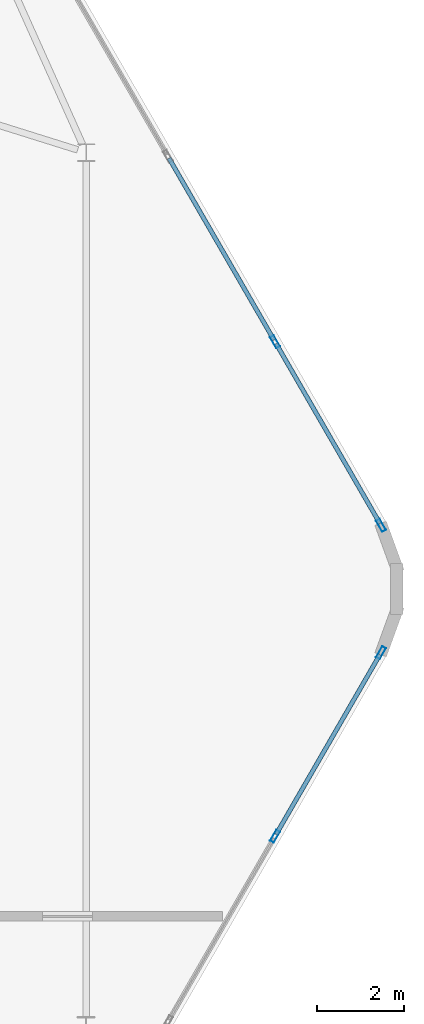
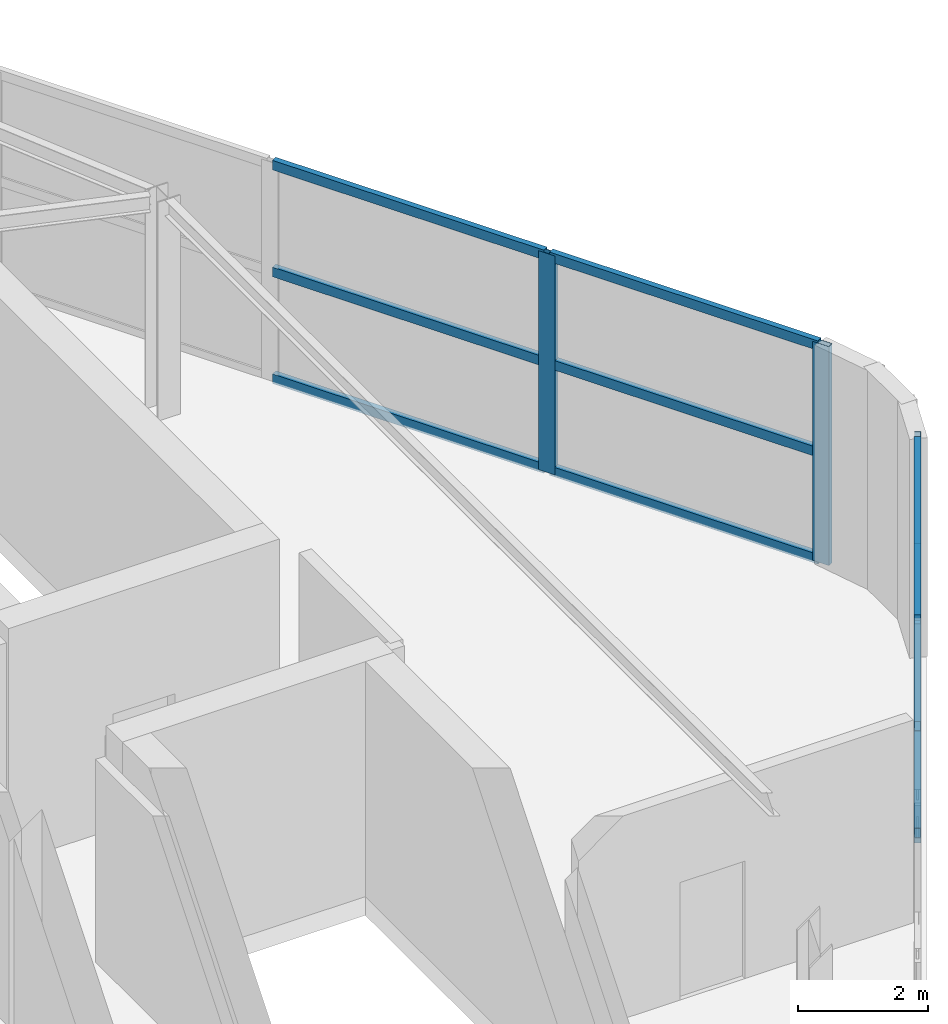
# One storey, part 4 of 8: 13 members, 2 elements without a shape of their own.
"""IFC4 building model written with IfcOpenShell, lengths in metres."""

from ifc_helpers import new_model, si_unit, direction, frame, origin, origin_2d, place, context, subcontext, project, spatial, hollow_rectangle, extrude, material, material_profile, profile_set, type_object, element, aggregate, save


model = new_model("IFC4")

# Units and contexts
model_context = context("Model", 3, precision=1e-05, world=origin(), true_north=direction((0.0, 1.0)))
body_context = subcontext(model_context, "Body", "Model", "MODEL_VIEW")
ifc_project = project(units=[si_unit("LENGTHUNIT", "METRE"), si_unit("AREAUNIT", "SQUARE_METRE"), si_unit("VOLUMEUNIT", "CUBIC_METRE"), si_unit("PLANEANGLEUNIT", "RADIAN"), si_unit("MASSUNIT", "GRAM", prefix="KILO")], contexts=[model_context])

# Site, building, storey
site_placement = place(None, origin())
site = spatial("IfcSite", under=ifc_project, at=site_placement, CompositionType="ELEMENT")
building_placement = place(site_placement, origin())
building = spatial("IfcBuilding", under=site, at=building_placement, Name="Zuhravey Tower", CompositionType="ELEMENT")
storey_placement = place(building_placement, frame((0.0, 0.0, 383.39990234375)))
storey = spatial("IfcBuildingStorey", under=building, at=storey_placement, Name="L97", CompositionType="ELEMENT", Elevation=383.39990234375)

# Curtain wall, members
ifc_material_1 = material(Name="Thermally broken anodised aluminium", Category="aluminium")
curtain_wall_type = type_object("IfcCurtainWallType", Name="Split-Top Crown Screened Curtain Wall CW6", PredefinedType="NOTDEFINED", material=ifc_material_1)
curtain_wall_1_placement = place(storey_placement, origin())
curtain_wall_1 = element("IfcCurtainWall", 1, at=curtain_wall_1_placement, inside=storey, type_object=curtain_wall_type, Name="L97 CW6 CW6-L97-EAST-04", PredefinedType="NOTDEFINED")
ifc_material_2 = material(Name="Anodised aluminium", Category="aluminium")
ifc_material_profile_1 = material_profile(ifc_material_2, hollow_rectangle(XDim=0.10009765625, YDim=0.2900390625, WallThickness=0.006103515625, at=origin_2d()), Name="ALU-RHS-100x290x6")
ifc_profile_set_1 = profile_set([ifc_material_profile_1], Name="Anodised aluminium")
member_type_1 = type_object("IfcMemberType", Name="Heavy Tall-Storey Mullion 100x220", PredefinedType="MULLION", material=ifc_profile_set_1)
member_1_placement = place(storey_placement, frame((60.528076171875, 37.6640625, 0.0), z_axis=(0.0, 0.0, 1.0), x_axis=(0.866027063754, 0.499997124838, 0.0)))
member_1 = element("IfcMember", 2, at=member_1_placement, type_object=member_type_1, Name="CW6 mullion 5", PredefinedType="MULLION", context=body_context, shape_type="SweptSolid", body=[
    extrude(hollow_rectangle(XDim=0.10009765625, YDim=0.2900390625, WallThickness=0.006103515625, at=origin_2d()), origin(), (0.0, 0.0, 1.0), 4.10009765625),
])
member_2_placement = place(storey_placement, frame((62.9560546875, 33.458984375, 0.0), z_axis=(0.0, 0.0, 1.0), x_axis=(0.866027063754, 0.499997124838, 0.0)))
member_2 = element("IfcMember", 3, at=member_2_placement, type_object=member_type_1, Name="CW6 mullion 6", PredefinedType="MULLION", context=body_context, shape_type="SweptSolid", body=[
    extrude(hollow_rectangle(XDim=0.10009765625, YDim=0.2900390625, WallThickness=0.006103515625, at=origin_2d()), origin(), (0.0, 0.0, 1.0), 4.10009765625),
])

curtain_wall_2_placement = place(storey_placement, origin())
curtain_wall_2 = element("IfcCurtainWall", 4, at=curtain_wall_2_placement, inside=storey, type_object=curtain_wall_type, Name="L97 CW6 CW6-L97-EAST-08", PredefinedType="NOTDEFINED")
member_3_placement = place(storey_placement, frame((62.9560546875, 30.541015625, 0.0), z_axis=(0.0, 0.0, 1.0), x_axis=(0.866027063754, -0.499997124838, 0.0)))
member_3 = element("IfcMember", 5, at=member_3_placement, type_object=member_type_1, Name="CW6 mullion 1", PredefinedType="MULLION", context=body_context, shape_type="SweptSolid", body=[
    extrude(hollow_rectangle(XDim=0.10009765625, YDim=0.2900390625, WallThickness=0.006103515625, at=origin_2d()), origin(), (0.0, 0.0, 1.0), 4.10009765625),
])
member_4_placement = place(storey_placement, frame((60.528076171875, 26.3359375, 0.0), z_axis=(0.0, 0.0, 1.0), x_axis=(0.866027063754, -0.499997124838, 0.0)))
member_4 = element("IfcMember", 6, at=member_4_placement, type_object=member_type_1, Name="CW6 mullion 2", PredefinedType="MULLION", context=body_context, shape_type="SweptSolid", body=[
    extrude(hollow_rectangle(XDim=0.10009765625, YDim=0.2900390625, WallThickness=0.006103515625, at=origin_2d()), origin(), (0.0, 0.0, 1.0), 4.10009765625),
])

# Member
ifc_material_profile_2 = material_profile(ifc_material_2, hollow_rectangle(XDim=0.10009765625, YDim=0.179931640625, WallThickness=0.006103515625, at=origin_2d()), Name="ALU-RHS-100x180x6")
ifc_profile_set_2 = profile_set([ifc_material_profile_2], Name="Anodised aluminium")
member_type_2 = type_object("IfcMemberType", Name="Tall-Storey Transom 100x180", PredefinedType="USERDEFINED", material=ifc_profile_set_2)
member_5_placement = place(storey_placement, frame((58.10009765625, 41.869384765625, 0.050048828125), z_axis=(0.50003466983, -0.866005386223, 0.0), x_axis=(0.866005386223, 0.50003466983, 0.0)))
member_5 = element("IfcMember", 7, at=member_5_placement, type_object=member_type_2, Name="CW6 transom 4.1", ObjectType="TRANSOM", PredefinedType="USERDEFINED", context=body_context, shape_type="SweptSolid", body=[
    extrude(hollow_rectangle(XDim=0.10009765625, YDim=0.179931640625, WallThickness=0.006103515625, at=origin_2d()), origin(), (0.0, 0.0, 1.0), 4.805908203125),
])

member_6_placement = place(storey_placement, frame((58.10009765625, 41.869384765625, 2.050048828125), z_axis=(0.50003466983, -0.866005386223, 0.0), x_axis=(0.866005386223, 0.50003466983, 0.0)))
member_6 = element("IfcMember", 8, at=member_6_placement, type_object=member_type_2, Name="CW6 transom 4.2", ObjectType="TRANSOM", PredefinedType="USERDEFINED", context=body_context, shape_type="SweptSolid", body=[
    extrude(hollow_rectangle(XDim=0.10009765625, YDim=0.179931640625, WallThickness=0.006103515625, at=origin_2d()), origin(), (0.0, 0.0, 1.0), 4.805908203125),
])

member_7_placement = place(storey_placement, frame((58.10009765625, 41.869384765625, 4.050048828125), z_axis=(0.50003466983, -0.866005386223, 0.0), x_axis=(0.866005386223, 0.50003466983, 0.0)))
member_7 = element("IfcMember", 9, at=member_7_placement, type_object=member_type_2, Name="CW6 transom 4.3", ObjectType="TRANSOM", PredefinedType="USERDEFINED", context=body_context, shape_type="SweptSolid", body=[
    extrude(hollow_rectangle(XDim=0.10009765625, YDim=0.179931640625, WallThickness=0.006103515625, at=origin_2d()), origin(), (0.0, 0.0, 1.0), 4.805908203125),
])

member_8_placement = place(storey_placement, frame((60.552978515625, 37.620849609375, 0.050048828125), z_axis=(0.500003887042, -0.866023159588, 0.0), x_axis=(0.866023159588, 0.500003887042, 0.0)))
member_8 = element("IfcMember", 10, at=member_8_placement, type_object=member_type_2, Name="CW6 transom 5.1", ObjectType="TRANSOM", PredefinedType="USERDEFINED", context=body_context, shape_type="SweptSolid", body=[
    extrude(hollow_rectangle(XDim=0.10009765625, YDim=0.179931640625, WallThickness=0.006103515625, at=origin_2d()), origin(), (0.0, 0.0, 1.0), 4.755859375),
])

member_9_placement = place(storey_placement, frame((60.552978515625, 37.620849609375, 2.050048828125), z_axis=(0.500003887042, -0.866023159588, 0.0), x_axis=(0.866023159588, 0.500003887042, 0.0)))
member_9 = element("IfcMember", 11, at=member_9_placement, type_object=member_type_2, Name="CW6 transom 5.2", ObjectType="TRANSOM", PredefinedType="USERDEFINED", context=body_context, shape_type="SweptSolid", body=[
    extrude(hollow_rectangle(XDim=0.10009765625, YDim=0.179931640625, WallThickness=0.006103515625, at=origin_2d()), origin(), (0.0, 0.0, 1.0), 4.755859375),
])

member_10_placement = place(storey_placement, frame((60.552978515625, 37.620849609375, 4.050048828125), z_axis=(0.500003887042, -0.866023159588, 0.0), x_axis=(0.866023159588, 0.500003887042, 0.0)))
member_10 = element("IfcMember", 12, at=member_10_placement, type_object=member_type_2, Name="CW6 transom 5.3", ObjectType="TRANSOM", PredefinedType="USERDEFINED", context=body_context, shape_type="SweptSolid", body=[
    extrude(hollow_rectangle(XDim=0.10009765625, YDim=0.179931640625, WallThickness=0.006103515625, at=origin_2d()), origin(), (0.0, 0.0, 1.0), 4.755859375),
])

aggregate(curtain_wall_1, [member_1, member_2, member_5, member_6, member_7, member_8, member_9, member_10])

member_11_placement = place(storey_placement, frame((62.930908203125, 30.497802734375, 0.050048828125), z_axis=(-0.500003887042, -0.866023159588, 0.0), x_axis=(0.866023159588, -0.500003887042, 0.0)))
member_11 = element("IfcMember", 13, at=member_11_placement, type_object=member_type_2, Name="CW6 transom 1.1", ObjectType="TRANSOM", PredefinedType="USERDEFINED", context=body_context, shape_type="SweptSolid", body=[
    extrude(hollow_rectangle(XDim=0.10009765625, YDim=0.179931640625, WallThickness=0.006103515625, at=origin_2d()), origin(), (0.0, 0.0, 1.0), 4.755859375),
])

member_12_placement = place(storey_placement, frame((62.930908203125, 30.497802734375, 2.050048828125), z_axis=(-0.500003887042, -0.866023159588, 0.0), x_axis=(0.866023159588, -0.500003887042, 0.0)))
member_12 = element("IfcMember", 14, at=member_12_placement, type_object=member_type_2, Name="CW6 transom 1.2", ObjectType="TRANSOM", PredefinedType="USERDEFINED", context=body_context, shape_type="SweptSolid", body=[
    extrude(hollow_rectangle(XDim=0.10009765625, YDim=0.179931640625, WallThickness=0.006103515625, at=origin_2d()), origin(), (0.0, 0.0, 1.0), 4.755859375),
])

member_13_placement = place(storey_placement, frame((62.930908203125, 30.497802734375, 4.050048828125), z_axis=(-0.500003887042, -0.866023159588, 0.0), x_axis=(0.866023159588, -0.500003887042, 0.0)))
member_13 = element("IfcMember", 15, at=member_13_placement, type_object=member_type_2, Name="CW6 transom 1.3", ObjectType="TRANSOM", PredefinedType="USERDEFINED", context=body_context, shape_type="SweptSolid", body=[
    extrude(hollow_rectangle(XDim=0.10009765625, YDim=0.179931640625, WallThickness=0.006103515625, at=origin_2d()), origin(), (0.0, 0.0, 1.0), 4.755859375),
])

aggregate(curtain_wall_2, [member_3, member_4, member_11, member_12, member_13])

save(model, "model.ifc")
